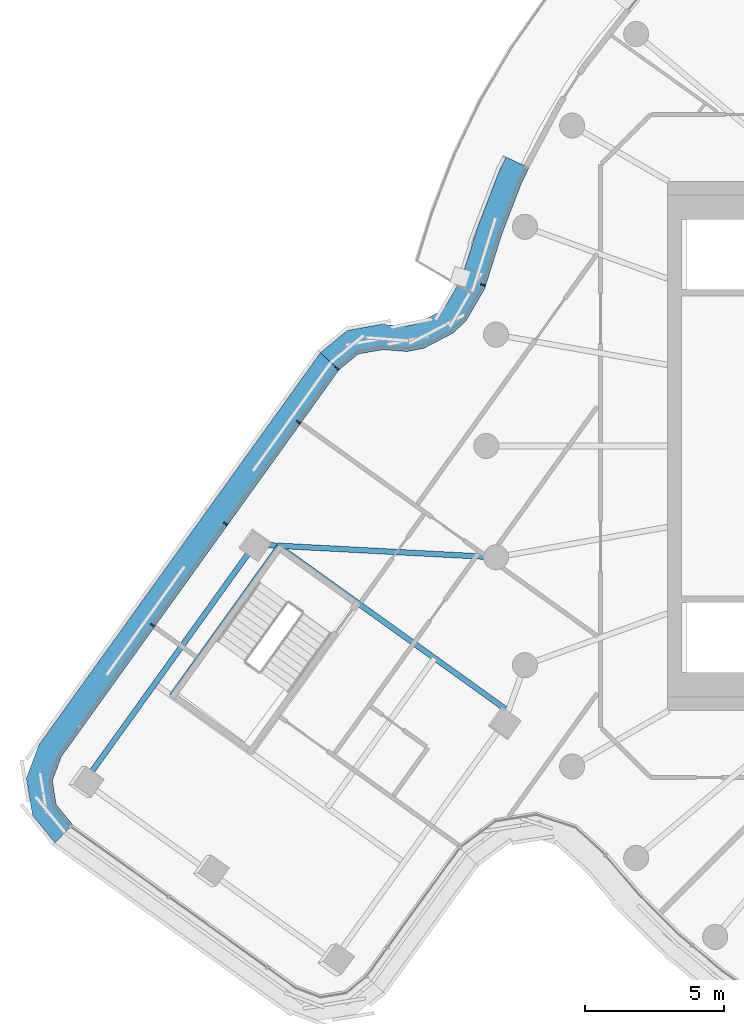
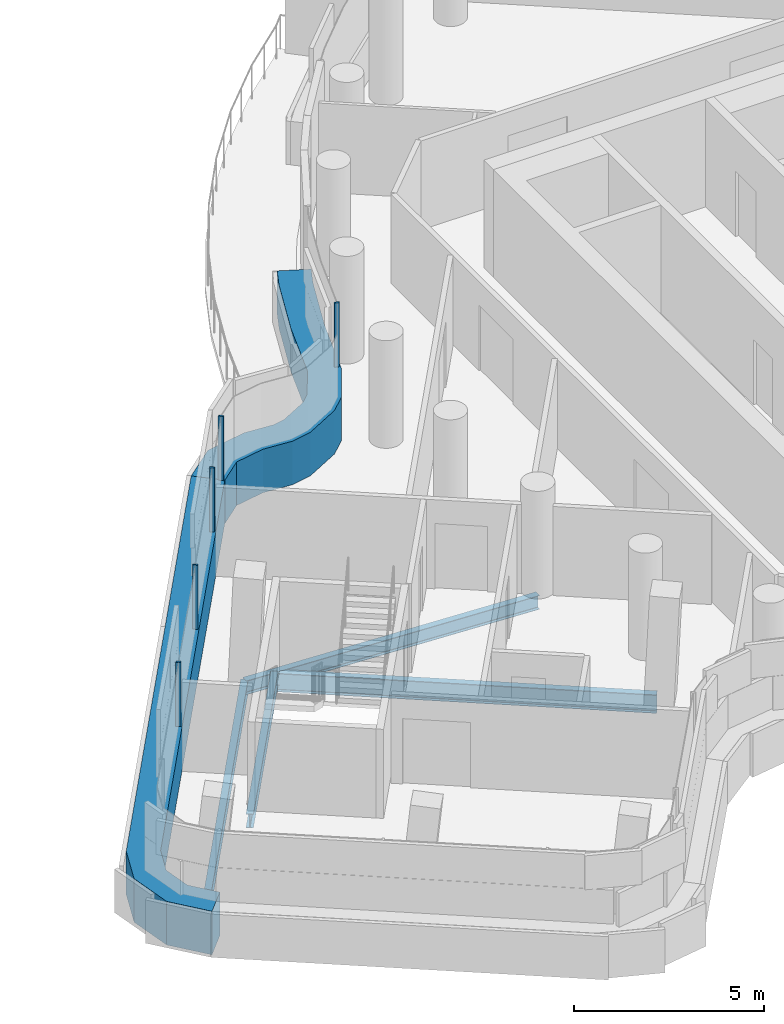
# One storey, part 4 of 27: 7 members, 4 beams, 2 elements without a shape of their own.
"""IFC4 building model written with IfcOpenShell, lengths in metres."""

from ifc_helpers import new_model, si_unit, direction, frame, origin, origin_2d, place, context, subcontext, project, spatial, polyline, rectangle, i_section, outline, extrude, material, layer, layer_set, material_profile, profile_set, type_object, element, aggregate, save


model = new_model("IFC4")

# Units and contexts
model_context = context("Model", 3, precision=1e-05, world=origin(), true_north=direction((0.0, 1.0)))
body_context = subcontext(model_context, "Body", "Model", "MODEL_VIEW")
ifc_project = project(units=[si_unit("LENGTHUNIT", "METRE"), si_unit("AREAUNIT", "SQUARE_METRE"), si_unit("VOLUMEUNIT", "CUBIC_METRE"), si_unit("PLANEANGLEUNIT", "RADIAN"), si_unit("MASSUNIT", "GRAM", prefix="KILO")], contexts=[model_context])

# Site, building, storey
site_placement = place(None, origin())
site = spatial("IfcSite", under=ifc_project, at=site_placement, CompositionType="ELEMENT")
building_placement = place(site_placement, origin())
building = spatial("IfcBuilding", under=site, at=building_placement, Name="Tamarind Cross Interchange Tower", CompositionType="ELEMENT")
storey_placement = place(building_placement, frame((0.0, 0.0, 230.699951171875)))
storey = spatial("IfcBuildingStorey", under=building, at=storey_placement, Name="L58", CompositionType="ELEMENT", Elevation=230.699951171875)

# Beams
ifc_material_1 = material(Name="Steel Q355B", Category="steel")
ifc_material_profile_1 = material_profile(ifc_material_1, i_section(OverallWidth=0.198974609375, OverallDepth=0.446044921875, WebThickness=0.008056640625, FlangeThickness=0.011962890625, FilletRadius=0.012939453125, at=origin_2d()), Name="HN 446x199x8x12")
ifc_profile_set_1 = profile_set([ifc_material_profile_1], Name="Steel Q355B")
beam_type_1 = type_object("IfcBeamType", Name="Composite beam HN 446x199x8x12 Q355B", PredefinedType="BEAM", material=ifc_profile_set_1)
beam_1_placement = place(storey_placement, frame((-37.426513671875, -12.0595703125, -0.363037109375), z_axis=(0.583122923819, 0.81238393369, 0.0), x_axis=(-0.81238393369, 0.583122923819, 0.0)))
element("IfcBeam", 1, at=beam_1_placement, inside=storey, type_object=beam_type_1, Name="Beam W-edgeem4", PredefinedType="BEAM", context=body_context, shape_type="SweptSolid", body=[
    extrude(i_section(OverallWidth=0.198974609375, OverallDepth=0.446044921875, WebThickness=0.008056640625, FlangeThickness=0.011962890625, FilletRadius=0.012939453125, at=origin_2d()), origin(), (0.0, 0.0, 1.0), 10.492431640625),
])
beam_2_placement = place(storey_placement, frame((-31.30810546875, -3.53564453125, -0.363037109375), z_axis=(0.99860207079, -0.052857395078, 0.0), x_axis=(0.052857395078, 0.99860207079, 0.0)))
element("IfcBeam", 2, at=beam_2_placement, inside=storey, type_object=beam_type_1, Name="Beam W-linkem", PredefinedType="BEAM", context=body_context, shape_type="SweptSolid", body=[
    extrude(i_section(OverallWidth=0.198974609375, OverallDepth=0.446044921875, WebThickness=0.008056640625, FlangeThickness=0.011962890625, FilletRadius=0.012939453125, at=origin_2d()), origin(), (0.0, 0.0, 1.0), 8.669677734375),
])
beam_3_placement = place(storey_placement, frame((-30.436279296875, -3.607421875, -0.363037109375), z_axis=(-0.583119157813, -0.812386636887, 0.0), x_axis=(0.812386636887, -0.583119157813, 0.0)))
element("IfcBeam", 3, at=beam_3_placement, inside=storey, type_object=beam_type_1, Name="Beam W-tr0", PredefinedType="BEAM", context=body_context, shape_type="SweptSolid", body=[
    extrude(i_section(OverallWidth=0.198974609375, OverallDepth=0.446044921875, WebThickness=0.008056640625, FlangeThickness=0.011962890625, FilletRadius=0.012939453125, at=origin_2d()), origin(), (0.0, 0.0, 1.0), 6.60009765625),
])
ifc_material_profile_2 = material_profile(ifc_material_1, i_section(OverallWidth=0.198974609375, OverallDepth=0.595947265625, WebThickness=0.010009765625, FlangeThickness=0.014892578125, FilletRadius=0.012939453125, at=origin_2d()), Name="HN 596x199x10x15")
ifc_profile_set_2 = profile_set([ifc_material_profile_2], Name="Steel Q355B")
beam_type_2 = type_object("IfcBeamType", Name="Composite beam HN 596x199x10x15 Q355B", PredefinedType="BEAM", material=ifc_profile_set_2)
beam_4_placement = place(storey_placement, frame((-30.474853515625, -3.579833984375, -0.43798828125), z_axis=(0.812391666269, -0.583112150943, 0.0), x_axis=(0.583112150943, 0.812391666269, 0.0)))
element("IfcBeam", 4, at=beam_4_placement, inside=storey, type_object=beam_type_2, Name="Beam W-x298", PredefinedType="BEAM", context=body_context, shape_type="SweptSolid", body=[
    extrude(i_section(OverallWidth=0.198974609375, OverallDepth=0.595947265625, WebThickness=0.010009765625, FlangeThickness=0.014892578125, FilletRadius=0.012939453125, at=origin_2d()), origin(), (0.0, 0.0, 1.0), 10.171142578125),
])

# Curtain wall, member
ifc_material_2 = material(Name="Aluminium 6063-T6", Category="aluminium")
ifc_layer = layer(ifc_material_2, 0.139892578125)
ifc_layer_set = layer_set([ifc_layer], Name="Aluminium 6063-T6")
curtain_wall_type = type_object("IfcCurtainWallType", Name="Hotel curtain wall, 4.5 m bays", PredefinedType="NOTDEFINED", material=ifc_layer_set)
curtain_wall_1_placement = place(storey_placement, origin())
curtain_wall_1 = element("IfcCurtainWall", 5, at=curtain_wall_1_placement, inside=storey, type_object=curtain_wall_type, Name="CWS-L58-06", PredefinedType="NOTDEFINED")
ifc_material_3 = material(Name="Aluminium and insulated spandrel panel", Category="aluminium")
member_type_1 = type_object("IfcMemberType", Name="Floor-edge blade transom", PredefinedType="USERDEFINED", material=ifc_material_3)
member_1_placement = place(storey_placement, origin())
member_1 = element("IfcMember", 6, at=member_1_placement, type_object=member_type_1, Name="CWT-L58-06-1", ObjectType="TRANSOM", PredefinedType="USERDEFINED", context=body_context, shape_type="SweptSolid", body=[
    extrude(outline(polyline([(-21.468994140625, 9.98681640625), (-21.74072265625, 9.425048828125), (-22.44580078125, 7.5947265625), (-23.0625, 5.629150390625), (-23.7255859375, 4.493896484375), (-24.1796875, 4.060791015625), (-25.22705078125, 3.51416015625), (-25.842041015625, 3.389404296875), (-26.711181640625, 3.459228515625), (-27.596435546875, 3.30078125), (-28.28955078125, 2.7275390625), (-28.952880859375, 3.3466796875), (-27.98779296875, 4.14501953125), (-26.7548828125, 4.365478515625), (-25.896728515625, 4.296630859375), (-25.53076171875, 4.370849609375), (-24.708984375, 4.7998046875), (-24.438720703125, 5.0576171875), (-23.890869140625, 5.995361328125), (-23.2958984375, 7.8916015625), (-22.567138671875, 9.783203125), (-22.28515625, 10.366455078125), (-21.468994140625, 9.98681640625)])), origin(), (0.0, 0.0, 1.0), 1.400146484375),
])

curtain_wall_2_placement = place(storey_placement, origin())
curtain_wall_2 = element("IfcCurtainWall", 7, at=curtain_wall_2_placement, inside=storey, type_object=curtain_wall_type, Name="CWS-L58-07", PredefinedType="NOTDEFINED")
member_2_placement = place(storey_placement, origin())
member_2 = element("IfcMember", 8, at=member_2_placement, type_object=member_type_1, Name="CWT-L58-07", ObjectType="TRANSOM", PredefinedType="USERDEFINED", context=body_context, shape_type="SweptSolid", body=[
    extrude(outline(polyline([(-28.28955078125, 2.7275390625), (-38.2529296875, -11.153076171875), (-38.575927734375, -12.009521484375), (-38.434326171875, -12.87255859375), (-37.85400390625, -13.58056640625), (-38.47509765625, -14.24267578125), (-39.283203125, -13.25634765625), (-39.503173828125, -11.91748046875), (-39.052978515625, -10.724365234375), (-28.952880859375, 3.3466796875), (-28.28955078125, 2.7275390625)])), origin(), (0.0, 0.0, 1.0), 1.400146484375),
])

# Member
ifc_material_profile_3 = material_profile(ifc_material_2, rectangle(XDim=0.06005859375, YDim=0.139892578125, at=origin_2d()), Name="Mullion CW2")
ifc_profile_set_3 = profile_set([ifc_material_profile_3], Name="Aluminium 6063-T6")
member_type_2 = type_object("IfcMemberType", Name="Mullion CW2", PredefinedType="MULLION", material=ifc_profile_set_3)
member_3_placement = place(storey_placement, frame((-23.119384765625, 5.7822265625, 1.400146484375), z_axis=(0.0, 0.0, 1.0), x_axis=(-0.299407311068, -0.954125391172, 0.0)))
member_3 = element("IfcMember", 9, at=member_3_placement, type_object=member_type_2, Name="CWM-L58-06-04", PredefinedType="MULLION", context=body_context, shape_type="SweptSolid", body=[
    extrude(rectangle(XDim=0.06005859375, YDim=0.139892578125, at=origin_2d()), origin(), (0.0, 0.0, 1.0), 2.059814453125),
])

aggregate(curtain_wall_1, [member_3, member_1])

member_4_placement = place(storey_placement, frame((-28.36328125, 2.79638671875, 1.400146484375), z_axis=(0.0, 0.0, 1.0), x_axis=(-0.682455443267, -0.730927197439, 0.0)))
member_4 = element("IfcMember", 10, at=member_4_placement, type_object=member_type_2, Name="CWM-L58-07-00", PredefinedType="MULLION", context=body_context, shape_type="SweptSolid", body=[
    extrude(rectangle(XDim=0.06005859375, YDim=0.139892578125, at=origin_2d()), origin(), (0.0, 0.0, 1.0), 2.059814453125),
])

member_5_placement = place(storey_placement, frame((-29.7509765625, 0.863037109375, 1.400146484375), z_axis=(0.0, 0.0, 1.0), x_axis=(-0.583121596975, -0.812384886086, 0.0)))
member_5 = element("IfcMember", 11, at=member_5_placement, type_object=member_type_2, Name="CWM-L58-07-01", PredefinedType="MULLION", context=body_context, shape_type="SweptSolid", body=[
    extrude(rectangle(XDim=0.06005859375, YDim=0.139892578125, at=origin_2d()), origin(), (0.0, 0.0, 1.0), 2.059814453125),
])

member_6_placement = place(storey_placement, frame((-32.366943359375, -2.781494140625, 1.400146484375), z_axis=(0.0, 0.0, 1.0), x_axis=(-0.583121596975, -0.812384886086, 0.0)))
member_6 = element("IfcMember", 12, at=member_6_placement, type_object=member_type_2, Name="CWM-L58-07-02", PredefinedType="MULLION", context=body_context, shape_type="SweptSolid", body=[
    extrude(rectangle(XDim=0.06005859375, YDim=0.139892578125, at=origin_2d()), origin(), (0.0, 0.0, 1.0), 2.059814453125),
])

member_7_placement = place(storey_placement, frame((-34.983154296875, -6.42626953125, 1.400146484375), z_axis=(0.0, 0.0, 1.0), x_axis=(-0.583121596975, -0.812384886086, 0.0)))
member_7 = element("IfcMember", 13, at=member_7_placement, type_object=member_type_2, Name="CWM-L58-07-03", PredefinedType="MULLION", context=body_context, shape_type="SweptSolid", body=[
    extrude(rectangle(XDim=0.06005859375, YDim=0.139892578125, at=origin_2d()), origin(), (0.0, 0.0, 1.0), 2.059814453125),
])

aggregate(curtain_wall_2, [member_4, member_5, member_6, member_7, member_2])

save(model, "model.ifc")
